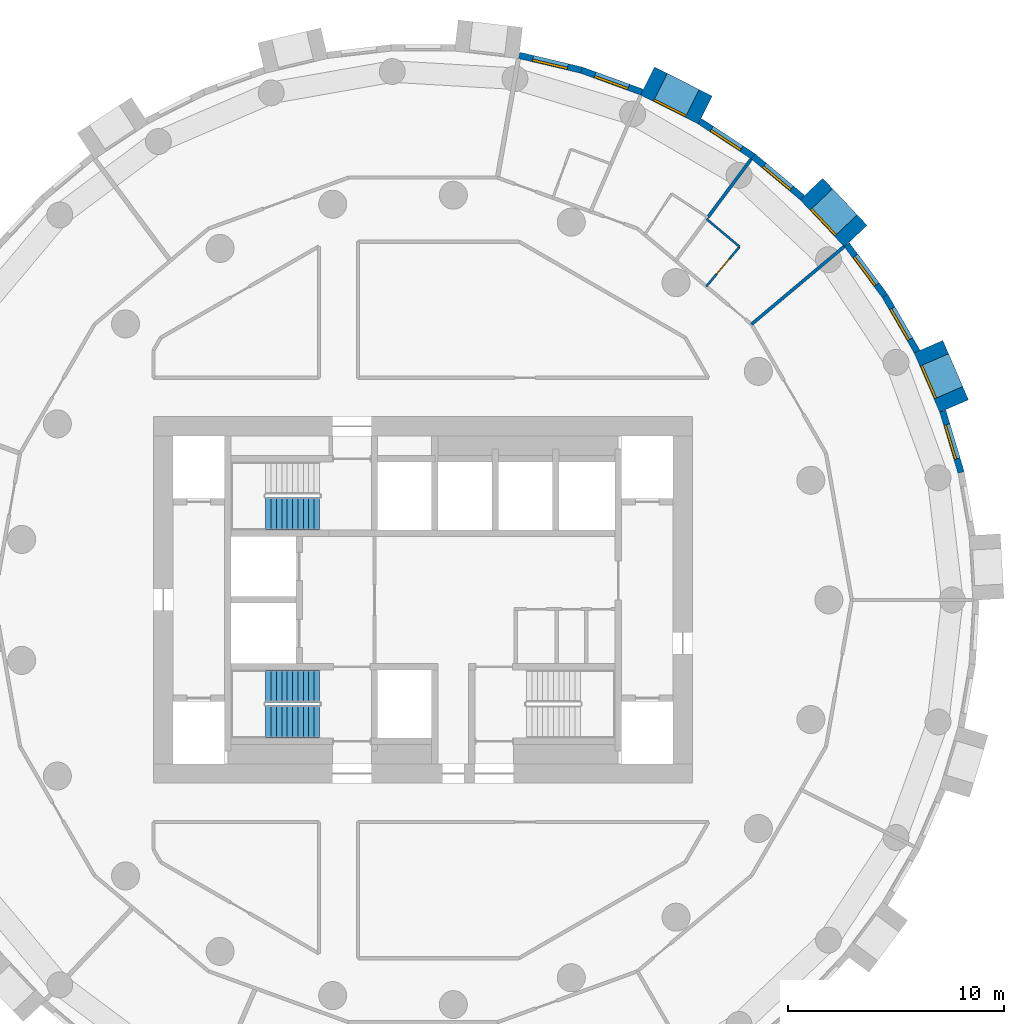
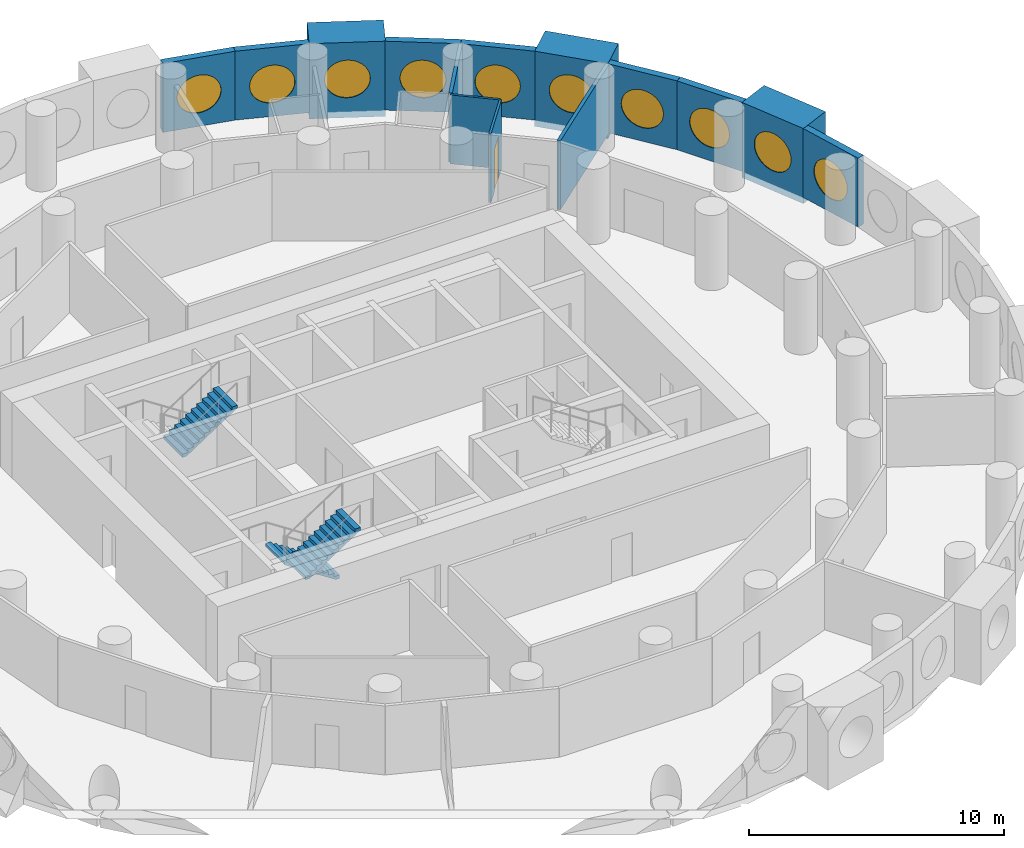
# One storey, part 7 of 9: 14 walls, 10 windows, 3 stair flights, 1 door, 11 openings, 2 elements without a shape of their own.
"""IFC4 building model written with IfcOpenShell, lengths in metres."""

from ifc_helpers import new_model, si_unit, direction, frame, frame_2d, origin, origin_2d, place, context, subcontext, project, spatial, polyline, rectangle, circle, outline, extrude, material, layer, layer_set, type_object, element, fill, aggregate, save


model = new_model("IFC4")

# Units and contexts
model_context = context("Model", 3, precision=1e-05, world=origin(), true_north=direction((0.0, 1.0)))
body_context = subcontext(model_context, "Body", "Model", "MODEL_VIEW")
ifc_project = project(units=[si_unit("LENGTHUNIT", "METRE"), si_unit("AREAUNIT", "SQUARE_METRE"), si_unit("VOLUMEUNIT", "CUBIC_METRE"), si_unit("PLANEANGLEUNIT", "RADIAN"), si_unit("MASSUNIT", "GRAM", prefix="KILO")], contexts=[model_context])

# Site, building, storey
site_placement = place(None, origin())
site = spatial("IfcSite", under=ifc_project, at=site_placement, CompositionType="ELEMENT")
building_placement = place(site_placement, origin())
building = spatial("IfcBuilding", under=site, at=building_placement, Name="Tracery Tower", CompositionType="ELEMENT")
storey_placement = place(building_placement, frame((0.0, 0.0, 151.199951171875)))
storey = spatial("IfcBuildingStorey", under=building, at=storey_placement, Name="L38", CompositionType="ELEMENT", Elevation=151.199951171875)

# Wall, opening, window
ifc_material_1 = material(Name="Precast concrete C50/60", Category="concrete")
ifc_layer_1 = layer(ifc_material_1, 1.449951171875)
ifc_layer_set_1 = layer_set([ifc_layer_1], Name="Deep-set bay unit 3000 x 3600, slab edge 300")
wall_type_1 = type_object("IfcWallType", Name="Deep-set bay unit 3000 x 3600, slab edge 300", PredefinedType="ELEMENTEDWALL", material=ifc_layer_set_1)
wall_1_placement = place(storey_placement, frame((24.632080078125, 8.99169921875, -0.300048828125), z_axis=(0.0, 0.0, 1.0), x_axis=(-0.396079003245, 0.918216435917, 0.0)))
wall_1 = element("IfcWall", 1, at=wall_1_placement, inside=storey, type_object=wall_type_1, Name="Deep-set bay unit 4 at L38", PredefinedType="ELEMENTEDWALL", context=body_context, shape_type="SweptSolid", body=[
    extrude(rectangle(XDim=3.0, YDim=1.449951171875, at=frame_2d((1.5, 0.0))), origin(), (0.0, 0.0, 1.0), 3.60009765625),
])
opening_1_placement = place(wall_1_placement, frame((1.5, 0.0, 1.85009765625)))
opening_1 = element("IfcOpeningElement", 2, at=opening_1_placement, cuts=wall_1, Name="Opening WN1", PredefinedType="OPENING", context=body_context, shape_type="SweptSolid", body=[
    extrude(circle(Radius=0.9000244140625, at=origin_2d()), frame((0.0, 0.73486328125, 0.0), z_axis=(0.0, -1.0, 0.0), x_axis=(1.0, 0.0, 0.0)), (0.0, 0.0, 1.0), 1.469970703125),
])
ifc_material_2 = material(Name="Aluminium frame with tinted double glazing", Category="aluminium")
window_type = type_object("IfcWindowType", Name="Round window 1800", PartitioningType="SINGLE_PANEL", PredefinedType="WINDOW", material=ifc_material_2)
window_1_placement = place(opening_1_placement, origin())
window_1 = element("IfcWindow", 3, at=window_1_placement, inside=storey, type_object=window_type, Name="Round window 4 at L38", OverallHeight=1.800048828125, OverallWidth=1.800048828125, PartitioningType="SINGLE_PANEL", PredefinedType="WINDOW", context=body_context, shape_type="SweptSolid", body=[
    extrude(circle(Radius=0.9000244140625, at=origin_2d()), frame((0.0, 0.69482421875, 0.0), z_axis=(0.0, -1.0, 0.0), x_axis=(1.0, 0.0, 0.0)), (0.0, 0.0, 1.0), 0.10009765625),
])
fill(opening_1, window_1)

wall_2_placement = place(storey_placement, frame((20.0712890625, 16.8740234375, -0.300048828125), z_axis=(0.0, 0.0, 1.0), x_axis=(-0.686217177108, 0.727396718334, 0.0)))
wall_2 = element("IfcWall", 4, at=wall_2_placement, inside=storey, type_object=wall_type_1, Name="Deep-set bay unit 7 at L38", PredefinedType="ELEMENTEDWALL", context=body_context, shape_type="SweptSolid", body=[
    extrude(rectangle(XDim=3.0, YDim=1.449951171875, at=frame_2d((1.5, 0.0))), origin(), (0.0, 0.0, 1.0), 3.60009765625),
])
opening_2_placement = place(wall_2_placement, frame((1.5, 0.0, 1.85009765625)))
opening_2 = element("IfcOpeningElement", 5, at=opening_2_placement, cuts=wall_2, Name="Opening WN1", PredefinedType="OPENING", context=body_context, shape_type="SweptSolid", body=[
    extrude(circle(Radius=0.9000244140625, at=origin_2d()), frame((0.0, 0.73486328125, 0.0), z_axis=(0.0, -1.0, 0.0), x_axis=(1.0, 0.0, 0.0)), (0.0, 0.0, 1.0), 1.469970703125),
])
window_2_placement = place(opening_2_placement, origin())
window_2 = element("IfcWindow", 6, at=window_2_placement, inside=storey, type_object=window_type, Name="Round window 7 at L38", OverallHeight=1.800048828125, OverallWidth=1.800048828125, PartitioningType="SINGLE_PANEL", PredefinedType="WINDOW", context=body_context, shape_type="SweptSolid", body=[
    extrude(circle(Radius=0.9000244140625, at=origin_2d()), frame((0.0, 0.69482421875, 0.0), z_axis=(0.0, -1.0, 0.0), x_axis=(1.0, 0.0, 0.0)), (0.0, 0.0, 1.0), 0.10009765625),
])
fill(opening_2, window_2)

wall_3_placement = place(storey_placement, frame((13.089599609375, 22.72119140625, -0.300048828125), z_axis=(0.0, 0.0, 1.0), x_axis=(-0.893628249713, 0.448807922518, 0.0)))
wall_3 = element("IfcWall", 7, at=wall_3_placement, inside=storey, type_object=wall_type_1, Name="Deep-set bay unit 10 at L38", PredefinedType="ELEMENTEDWALL", context=body_context, shape_type="SweptSolid", body=[
    extrude(rectangle(XDim=3.0, YDim=1.449951171875, at=frame_2d((1.5, 0.0))), origin(), (0.0, 0.0, 1.0), 3.60009765625),
])
opening_3_placement = place(wall_3_placement, frame((1.5, 0.0, 1.85009765625)))
opening_3 = element("IfcOpeningElement", 8, at=opening_3_placement, cuts=wall_3, Name="Opening WN1", PredefinedType="OPENING", context=body_context, shape_type="SweptSolid", body=[
    extrude(circle(Radius=0.9000244140625, at=origin_2d()), frame((0.0, 0.73486328125, 0.0), z_axis=(0.0, -1.0, 0.0), x_axis=(1.0, 0.0, 0.0)), (0.0, 0.0, 1.0), 1.469970703125),
])
window_3_placement = place(opening_3_placement, origin())
window_3 = element("IfcWindow", 9, at=window_3_placement, inside=storey, type_object=window_type, Name="Round window 10 at L38", OverallHeight=1.800048828125, OverallWidth=1.800048828125, PartitioningType="SINGLE_PANEL", PredefinedType="WINDOW", context=body_context, shape_type="SweptSolid", body=[
    extrude(circle(Radius=0.9000244140625, at=origin_2d()), frame((0.0, 0.69482421875, 0.0), z_axis=(0.0, -1.0, 0.0), x_axis=(1.0, 0.0, 0.0)), (0.0, 0.0, 1.0), 0.10009765625),
])
fill(opening_3, window_3)

ifc_material_3 = material(Name="Precast concrete C50/60", Category="concrete")
ifc_layer_2 = layer(ifc_material_3, 0.300048828125)
ifc_layer_set_2 = layer_set([ifc_layer_2], Name="Facade panel 3000 x 3300")
wall_type_2 = type_object("IfcWallType", Name="Facade panel 3000 x 3300", PredefinedType="SOLIDWALL", material=ifc_layer_set_2)
wall_4_placement = place(storey_placement, frame((24.9560546875, 5.914794921875, 0.0), z_axis=(0.0, 0.0, 1.0), x_axis=(-0.286782750849, 0.957995643944, 0.0)))
wall_4 = element("IfcWall", 10, at=wall_4_placement, inside=storey, type_object=wall_type_2, Name="Facade panel 3 at L38", PredefinedType="SOLIDWALL", context=body_context, shape_type="SweptSolid", body=[
    extrude(rectangle(XDim=2.97265625, YDim=0.300048828125, at=frame_2d((1.486328125, 0.0))), origin(), (0.0, 0.0, 1.0), 3.300048828125),
])
opening_4_placement = place(wall_4_placement, frame((1.486328125, 0.0, 1.5498046875)))
opening_4 = element("IfcOpeningElement", 11, at=opening_4_placement, cuts=wall_4, Name="Opening WN1", PredefinedType="OPENING", context=body_context, shape_type="SweptSolid", body=[
    extrude(circle(Radius=0.9000244140625, at=origin_2d()), frame((0.0, 0.159912109375, 0.0), z_axis=(0.0, -1.0, 0.0), x_axis=(1.0, 0.0, 0.0)), (0.0, 0.0, 1.0), 0.320068359375),
])
window_4_placement = place(opening_4_placement, origin())
window_4 = element("IfcWindow", 12, at=window_4_placement, inside=storey, type_object=window_type, Name="Round window 3 at L38", OverallHeight=1.800048828125, OverallWidth=1.800048828125, PartitioningType="SINGLE_PANEL", PredefinedType="WINDOW", context=body_context, shape_type="SweptSolid", body=[
    extrude(circle(Radius=0.9000244140625, at=origin_2d()), frame((0.0, 0.1201171875, 0.0), z_axis=(0.0, -1.0, 0.0), x_axis=(1.0, 0.0, 0.0)), (0.0, 0.0, 1.0), 0.10009765625),
])
fill(opening_4, window_4)

wall_5_placement = place(storey_placement, frame((22.91455078125, 11.518798828125, 0.0), z_axis=(0.0, 0.0, 1.0), x_axis=(-0.499954672104, 0.866051572276, 0.0)))
wall_5 = element("IfcWall", 13, at=wall_5_placement, inside=storey, type_object=wall_type_2, Name="Facade panel 5 at L38", PredefinedType="SOLIDWALL", context=body_context, shape_type="SweptSolid", body=[
    extrude(rectangle(XDim=2.972900390625, YDim=0.300048828125, at=frame_2d((1.486328125, 0.0))), origin(), (0.0, 0.0, 1.0), 3.300048828125),
])
opening_5_placement = place(wall_5_placement, frame((1.486328125, 0.0, 1.5498046875)))
opening_5 = element("IfcOpeningElement", 14, at=opening_5_placement, cuts=wall_5, Name="Opening WN1", PredefinedType="OPENING", context=body_context, shape_type="SweptSolid", body=[
    extrude(circle(Radius=0.9000244140625, at=origin_2d()), frame((0.0, 0.159912109375, 0.0), z_axis=(0.0, -1.0, 0.0), x_axis=(1.0, 0.0, 0.0)), (0.0, 0.0, 1.0), 0.320068359375),
])
window_5_placement = place(opening_5_placement, origin())
window_5 = element("IfcWindow", 15, at=window_5_placement, inside=storey, type_object=window_type, Name="Round window 5 at L38", OverallHeight=1.800048828125, OverallWidth=1.800048828125, PartitioningType="SINGLE_PANEL", PredefinedType="WINDOW", context=body_context, shape_type="SweptSolid", body=[
    extrude(circle(Radius=0.9000244140625, at=origin_2d()), frame((0.0, 0.1201171875, 0.0), z_axis=(0.0, -1.0, 0.0), x_axis=(1.0, 0.0, 0.0)), (0.0, 0.0, 1.0), 0.10009765625),
])
fill(opening_5, window_5)

wall_6_placement = place(storey_placement, frame((21.42822265625, 14.093505859375, 0.0), z_axis=(0.0, 0.0, 1.0), x_axis=(-0.597197580538, 0.80209416517, 0.0)))
wall_6 = element("IfcWall", 16, at=wall_6_placement, inside=storey, type_object=wall_type_2, Name="Facade panel 6 at L38", PredefinedType="SOLIDWALL", context=body_context, shape_type="SweptSolid", body=[
    extrude(rectangle(XDim=2.972900390625, YDim=0.300048828125, at=frame_2d((1.486328125, 0.0))), origin(), (0.0, 0.0, 1.0), 3.300048828125),
])
opening_6_placement = place(wall_6_placement, frame((1.486328125, 0.0, 1.5498046875)))
opening_6 = element("IfcOpeningElement", 17, at=opening_6_placement, cuts=wall_6, Name="Opening WN1", PredefinedType="OPENING", context=body_context, shape_type="SweptSolid", body=[
    extrude(circle(Radius=0.9000244140625, at=origin_2d()), frame((0.0, 0.159912109375, 0.0), z_axis=(0.0, -1.0, 0.0), x_axis=(1.0, 0.0, 0.0)), (0.0, 0.0, 1.0), 0.320068359375),
])
window_6_placement = place(opening_6_placement, origin())
window_6 = element("IfcWindow", 18, at=window_6_placement, inside=storey, type_object=window_type, Name="Round window 6 at L38", OverallHeight=1.800048828125, OverallWidth=1.800048828125, PartitioningType="SINGLE_PANEL", PredefinedType="WINDOW", context=body_context, shape_type="SweptSolid", body=[
    extrude(circle(Radius=0.9000244140625, at=origin_2d()), frame((0.0, 0.1201171875, 0.0), z_axis=(0.0, -1.0, 0.0), x_axis=(1.0, 0.0, 0.0)), (0.0, 0.0, 1.0), 0.10009765625),
])
fill(opening_6, window_6)

wall_7_placement = place(storey_placement, frame((17.593017578125, 18.661376953125, 0.0), z_axis=(0.0, 0.0, 1.0), x_axis=(-0.766008913364, 0.642829950023, 0.0)))
wall_7 = element("IfcWall", 19, at=wall_7_placement, inside=storey, type_object=wall_type_2, Name="Facade panel 8 at L38", PredefinedType="SOLIDWALL", context=body_context, shape_type="SweptSolid", body=[
    extrude(rectangle(XDim=2.972900390625, YDim=0.300048828125, at=frame_2d((1.486328125, 0.0))), origin(), (0.0, 0.0, 1.0), 3.300048828125),
])
opening_7_placement = place(wall_7_placement, frame((1.486328125, 0.0, 1.5498046875)))
opening_7 = element("IfcOpeningElement", 20, at=opening_7_placement, cuts=wall_7, Name="Opening WN1", PredefinedType="OPENING", context=body_context, shape_type="SweptSolid", body=[
    extrude(circle(Radius=0.9000244140625, at=origin_2d()), frame((0.0, 0.159912109375, 0.0), z_axis=(0.0, -1.0, 0.0), x_axis=(1.0, 0.0, 0.0)), (0.0, 0.0, 1.0), 0.320068359375),
])
window_7_placement = place(opening_7_placement, origin())
window_7 = element("IfcWindow", 21, at=window_7_placement, inside=storey, type_object=window_type, Name="Round window 8 at L38", OverallHeight=1.800048828125, OverallWidth=1.800048828125, PartitioningType="SINGLE_PANEL", PredefinedType="WINDOW", context=body_context, shape_type="SweptSolid", body=[
    extrude(circle(Radius=0.9000244140625, at=origin_2d()), frame((0.0, 0.1201171875, 0.0), z_axis=(0.0, -1.0, 0.0), x_axis=(1.0, 0.0, 0.0)), (0.0, 0.0, 1.0), 0.10009765625),
])
fill(opening_7, window_7)

wall_8_placement = place(storey_placement, frame((15.315673828125, 20.572509765625, 0.0), z_axis=(0.0, 0.0, 1.0), x_axis=(-0.835508361394, 0.54947773207, 0.0)))
wall_8 = element("IfcWall", 22, at=wall_8_placement, inside=storey, type_object=wall_type_2, Name="Facade panel 9 at L38", PredefinedType="SOLIDWALL", context=body_context, shape_type="SweptSolid", body=[
    extrude(rectangle(XDim=2.972900390625, YDim=0.300048828125, at=frame_2d((1.486328125, 0.0))), origin(), (0.0, 0.0, 1.0), 3.300048828125),
])
opening_8_placement = place(wall_8_placement, frame((1.486328125, 0.0, 1.5498046875)))
opening_8 = element("IfcOpeningElement", 23, at=opening_8_placement, cuts=wall_8, Name="Opening WN1", PredefinedType="OPENING", context=body_context, shape_type="SweptSolid", body=[
    extrude(circle(Radius=0.9000244140625, at=origin_2d()), frame((0.0, 0.159912109375, 0.0), z_axis=(0.0, -1.0, 0.0), x_axis=(1.0, 0.0, 0.0)), (0.0, 0.0, 1.0), 0.320068359375),
])
window_8_placement = place(opening_8_placement, origin())
window_8 = element("IfcWindow", 24, at=window_8_placement, inside=storey, type_object=window_type, Name="Round window 9 at L38", OverallHeight=1.800048828125, OverallWidth=1.800048828125, PartitioningType="SINGLE_PANEL", PredefinedType="WINDOW", context=body_context, shape_type="SweptSolid", body=[
    extrude(circle(Radius=0.9000244140625, at=origin_2d()), frame((0.0, 0.1201171875, 0.0), z_axis=(0.0, -1.0, 0.0), x_axis=(1.0, 0.0, 0.0)), (0.0, 0.0, 1.0), 0.10009765625),
])
fill(opening_8, window_8)

wall_9_placement = place(storey_placement, frame((10.1494140625, 23.55322265625, 0.0), z_axis=(0.0, 0.0, 1.0), x_axis=(-0.939690282133, 0.342026568652, 0.0)))
wall_9 = element("IfcWall", 25, at=wall_9_placement, inside=storey, type_object=wall_type_2, Name="Facade panel 11 at L38", PredefinedType="SOLIDWALL", context=body_context, shape_type="SweptSolid", body=[
    extrude(rectangle(XDim=2.972900390625, YDim=0.300048828125, at=frame_2d((1.486328125, 0.0))), origin(), (0.0, 0.0, 1.0), 3.300048828125),
])
opening_9_placement = place(wall_9_placement, frame((1.486328125, 0.0, 1.5498046875)))
opening_9 = element("IfcOpeningElement", 26, at=opening_9_placement, cuts=wall_9, Name="Opening WN1", PredefinedType="OPENING", context=body_context, shape_type="SweptSolid", body=[
    extrude(circle(Radius=0.9000244140625, at=origin_2d()), frame((0.0, 0.159912109375, 0.0), z_axis=(0.0, -1.0, 0.0), x_axis=(1.0, 0.0, 0.0)), (0.0, 0.0, 1.0), 0.320068359375),
])
window_9_placement = place(opening_9_placement, origin())
window_9 = element("IfcWindow", 27, at=window_9_placement, inside=storey, type_object=window_type, Name="Round window 11 at L38", OverallHeight=1.800048828125, OverallWidth=1.800048828125, PartitioningType="SINGLE_PANEL", PredefinedType="WINDOW", context=body_context, shape_type="SweptSolid", body=[
    extrude(circle(Radius=0.9000244140625, at=origin_2d()), frame((0.0, 0.1201171875, 0.0), z_axis=(0.0, -1.0, 0.0), x_axis=(1.0, 0.0, 0.0)), (0.0, 0.0, 1.0), 0.10009765625),
])
fill(opening_9, window_9)

wall_10_placement = place(storey_placement, frame((7.355712890625, 24.570068359375, 0.0), z_axis=(0.0, 0.0, 1.0), x_axis=(-0.973045378923, 0.230613725862, 0.0)))
wall_10 = element("IfcWall", 28, at=wall_10_placement, inside=storey, type_object=wall_type_2, Name="Facade panel 12 at L38", PredefinedType="SOLIDWALL", context=body_context, shape_type="SweptSolid", body=[
    extrude(rectangle(XDim=2.97265625, YDim=0.300048828125, at=frame_2d((1.486328125, 0.0))), origin(), (0.0, 0.0, 1.0), 3.300048828125),
])
opening_10_placement = place(wall_10_placement, frame((1.486328125, 0.0, 1.5498046875)))
opening_10 = element("IfcOpeningElement", 29, at=opening_10_placement, cuts=wall_10, Name="Opening WN1", PredefinedType="OPENING", context=body_context, shape_type="SweptSolid", body=[
    extrude(circle(Radius=0.9000244140625, at=origin_2d()), frame((0.0, 0.159912109375, 0.0), z_axis=(0.0, -1.0, 0.0), x_axis=(1.0, 0.0, 0.0)), (0.0, 0.0, 1.0), 0.320068359375),
])
window_10_placement = place(opening_10_placement, origin())
window_10 = element("IfcWindow", 30, at=window_10_placement, inside=storey, type_object=window_type, Name="Round window 12 at L38", OverallHeight=1.800048828125, OverallWidth=1.800048828125, PartitioningType="SINGLE_PANEL", PredefinedType="WINDOW", context=body_context, shape_type="SweptSolid", body=[
    extrude(circle(Radius=0.9000244140625, at=origin_2d()), frame((0.0, 0.1201171875, 0.0), z_axis=(0.0, -1.0, 0.0), x_axis=(1.0, 0.0, 0.0)), (0.0, 0.0, 1.0), 0.10009765625),
])
fill(opening_10, window_10)

# Wall, opening, door
ifc_material_4 = material(Name="Plasterboard on steel studs", Category="steel")
ifc_layer_3 = layer(ifc_material_4, 0.10009765625)
ifc_layer_set_3 = layer_set([ifc_layer_3], Name="Partition 100 wet wall")
wall_type_3 = type_object("IfcWallType", Name="Partition 100 wet wall", PredefinedType="PARTITIONING", material=ifc_layer_set_3)
wall_11_placement = place(storey_placement, frame((13.138916015625, 14.5419921875, 0.0), z_axis=(0.0, 0.0, 1.0), x_axis=(0.642731657745, 0.766091388891, 0.0)))
wall_11 = element("IfcWall", 31, at=wall_11_placement, inside=storey, type_object=wall_type_3, Name="Wet wall RB3-041", PredefinedType="PARTITIONING", context=body_context, shape_type="SweptSolid", body=[
    extrude(rectangle(XDim=2.400634765625, YDim=0.10009765625, at=frame_2d((1.2001953125, 0.0))), origin(), (0.0, 0.0, 1.0), 3.300048828125),
])
opening_11_placement = place(wall_11_placement, frame((0.75, 0.0, 0.0)))
opening_11 = element("IfcOpeningElement", 32, at=opening_11_placement, cuts=wall_11, Name="Opening RB3-06", PredefinedType="OPENING", context=body_context, shape_type="SweptSolid", body=[
    extrude(rectangle(XDim=0.89990234375, YDim=2.0400390625, at=frame_2d((0.449951171875, 1.02001953125))), frame((0.0, 0.050048828125, 0.0), z_axis=(0.0, -1.0, 0.0), x_axis=(1.0, 0.0, 0.0)), (0.0, 0.0, 1.0), 0.10009765625),
])
ifc_material_5 = material(Name="Timber door leaf", Category="wood")
door_type = type_object("IfcDoorType", Name="Door en-suite 900", OperationType="NOTDEFINED", PredefinedType="DOOR", material=ifc_material_5)
door_placement = place(opening_11_placement, origin())
door = element("IfcDoor", 33, at=door_placement, inside=storey, type_object=door_type, Name="En-suite door RB3-06", OperationType="SINGLE_SWING_LEFT", OverallHeight=2.0400390625, OverallWidth=0.89990234375, PredefinedType="DOOR", context=body_context, shape_type="SweptSolid", body=[
    extrude(rectangle(XDim=0.89990234375, YDim=2.0400390625, at=frame_2d((0.449951171875, 1.02001953125))), frame((0.0, 0.02490234375, 0.0), z_axis=(0.0, -1.0, 0.0), x_axis=(1.0, 0.0, 0.0)), (0.0, 0.0, 1.0), 0.050048828125),
])
fill(opening_11, door)

# Walls
wall_12_placement = place(storey_placement, frame((13.15087890625, 17.6650390625, 0.0), z_axis=(0.0, 0.0, 1.0), x_axis=(0.766224532916, -0.642572925945, 0.0)))
element("IfcWall", 34, at=wall_12_placement, inside=storey, type_object=wall_type_3, Name="Wet wall RB3-042", PredefinedType="PARTITIONING", context=body_context, shape_type="SweptSolid", body=[
    extrude(rectangle(XDim=1.998046875, YDim=0.10009765625, at=frame_2d((0.9990234375, 0.0))), origin(), (0.0, 0.0, 1.0), 3.300048828125),
])
ifc_material_6 = material(Name="Plasterboard on steel studs", Category="steel")
ifc_layer_4 = layer(ifc_material_6, 0.14990234375)
ifc_layer_set_4 = layer_set([ifc_layer_4], Name="Partition 150 acoustic unit wall")
wall_type_4 = type_object("IfcWallType", Name="Partition 150 acoustic unit wall", PredefinedType="PARTITIONING", material=ifc_layer_set_4)
wall_13_placement = place(storey_placement, frame((15.235107421875, 12.783935546875, 0.0), z_axis=(0.0, 0.0, 1.0), x_axis=(0.76609059793, 0.642732600514, 0.0)))
element("IfcWall", 35, at=wall_13_placement, inside=storey, type_object=wall_type_4, Name="Unit wall RB3-039", PredefinedType="PARTITIONING", context=body_context, shape_type="SweptSolid", body=[
    extrude(rectangle(XDim=5.60888671875, YDim=0.14990234375, at=frame_2d((2.804443359375, 0.0))), origin(), (0.0, 0.0, 1.0), 3.300048828125),
])
wall_14_placement = place(storey_placement, frame((13.201904296875, 17.73291015625, 0.0), z_axis=(0.0, 0.0, 1.0), x_axis=(0.597149819296, 0.802129723495, 0.0)))
element("IfcWall", 36, at=wall_14_placement, inside=storey, type_object=wall_type_4, Name="Unit wall RB3-043", PredefinedType="PARTITIONING", context=body_context, shape_type="SweptSolid", body=[
    extrude(rectangle(XDim=3.3896484375, YDim=0.14990234375, at=frame_2d((1.69482421875, 0.0))), origin(), (0.0, 0.0, 1.0), 3.300048828125),
])

# Stair, stair flights
ifc_material_7 = material(Name="Concrete C32/40", Category="concrete")
stair_type = type_object("IfcStairType", Name="Core stair 22 risers", PredefinedType="HALF_TURN_STAIR", material=ifc_material_7)
stair_1_placement = place(storey_placement, origin())
stair_1 = element("IfcStair", 37, at=stair_1_placement, inside=storey, type_object=stair_type, Name="L38 stair ST1", PredefinedType="HALF_TURN_STAIR")
ifc_material_8 = material(Name="Concrete C32/40", Category="concrete")
stair_flight_type = type_object("IfcStairFlightType", Name="Core stair flight 11 risers", PredefinedType="STRAIGHT", material=ifc_material_8)
stair_flight_1_placement = place(storey_placement, frame((-4.800048828125, -4.0, 0.0), z_axis=(0.0, 0.0, 1.0), x_axis=(-1.0, 0.0, 0.0)))
stair_flight_1 = element("IfcStairFlight", 38, at=stair_flight_1_placement, type_object=stair_flight_type, Name="ST1 flight 1", NumberOfRisers=11, NumberOfTreads=10, PredefinedType="STRAIGHT", RiserHeight=0.163636364, TreadLength=0.25, context=body_context, shape_type="SweptSolid", body=[
    extrude(outline(polyline([(0.0, 0.0), (0.0, 0.002685546875), (0.0, 0.00537109375), (0.0, 0.008056640625), (0.0, 0.0107421875), (0.0, 0.013427734375), (0.0, 0.01611328125), (0.0, 0.018798828125), (0.0, 0.021484375), (0.0, 0.024169921875), (0.0, 0.02685546875), (0.0, 0.029541015625), (0.0, 0.0322265625), (0.0, 0.034912109375), (0.0, 0.03759765625), (0.0, 0.040283203125), (0.0, 0.04296875), (0.0, 0.045654296875), (0.0, 0.04833984375), (0.0, 0.051025390625), (0.0, 0.0537109375), (0.0, 0.056396484375), (0.0, 0.05908203125), (0.0, 0.061767578125), (0.0, 0.064453125), (0.0, 0.067138671875), (0.0, 0.06982421875), (0.0, 0.072509765625), (0.0, 0.0751953125), (0.0, 0.077880859375), (0.0, 0.08056640625), (0.0, 0.083251953125), (0.0, 0.0859375), (0.0, 0.088623046875), (0.0, 0.09130859375), (0.0, 0.093994140625), (0.0, 0.0966796875), (0.0, 0.099365234375), (0.0, 0.10205078125), (0.0, 0.104736328125), (0.0, 0.107421875), (0.0, 0.10986328125), (0.0, 0.112548828125), (0.0, 0.115234375), (0.0, 0.117919921875), (0.0, 0.12060546875), (0.0, 0.123291015625), (0.0, 0.1259765625), (0.0, 0.128662109375), (0.0, 0.13134765625), (0.0, 0.134033203125), (0.0, 0.13671875), (0.0, 0.139404296875), (0.0, 0.14208984375), (0.0, 0.144775390625), (0.0, 0.1474609375), (0.0, 0.150146484375), (0.0, 0.15283203125), (0.0, 0.155517578125), (0.0, 0.158203125), (0.0, 0.160888671875), (0.0, 0.16357421875), (0.25, 0.16357421875), (0.25, 0.327392578125), (0.5, 0.327392578125), (0.5, 0.490966796875), (0.75, 0.490966796875), (0.75, 0.654541015625), (1.0, 0.654541015625), (1.0, 0.818115234375), (1.25, 0.818115234375), (1.25, 0.98193359375), (1.5, 0.98193359375), (1.5, 1.1455078125), (1.75, 1.1455078125), (1.75, 1.30908203125), (2.0, 1.30908203125), (2.0, 1.47265625), (2.25, 1.47265625), (2.25, 1.636474609375), (2.5, 1.636474609375), (2.5, 1.634521484375), (2.5, 1.63232421875), (2.5, 1.63037109375), (2.5, 1.62841796875), (2.5, 1.62646484375), (2.5, 1.62451171875), (2.5, 1.62255859375), (2.5, 1.62060546875), (2.5, 1.61865234375), (2.5, 1.61669921875), (2.5, 1.61474609375), (2.5, 1.61279296875), (2.5, 1.61083984375), (2.5, 1.60888671875), (2.5, 1.60693359375), (2.5, 1.60498046875), (2.5, 1.60302734375), (2.5, 1.60107421875), (2.5, 1.59912109375), (2.5, 1.59716796875), (2.5, 1.59521484375), (2.5, 1.59326171875), (2.5, 1.59130859375), (2.5, 1.58935546875), (2.5, 1.58740234375), (2.5, 1.58544921875), (2.5, 1.58349609375), (2.5, 1.58154296875), (2.5, 1.57958984375), (2.5, 1.57763671875), (2.5, 1.57568359375), (2.5, 1.573486328125), (2.5, 1.571533203125), (2.5, 1.569580078125), (2.5, 1.567626953125), (2.5, 1.565673828125), (2.5, 1.563720703125), (2.5, 1.561767578125), (2.5, 1.559814453125), (2.5, 1.557861328125), (2.5, 1.555908203125), (2.5, 1.553955078125), (2.5, 1.552001953125), (2.5, 1.550048828125), (2.5, 1.548095703125), (2.5, 1.546142578125), (2.5, 1.544189453125), (2.5, 1.542236328125), (2.5, 1.540283203125), (2.5, 1.538330078125), (2.5, 1.536376953125), (2.5, 1.534423828125), (2.5, 1.532470703125), (2.5, 1.530517578125), (2.5, 1.528564453125), (2.5, 1.526611328125), (2.5, 1.524658203125), (2.5, 1.522705078125), (2.5, 1.520751953125), (2.5, 1.518798828125), (2.5, 1.516845703125), (0.182861328125, 0.0), (0.0, 0.0)])), frame((0.0, 0.75, 0.0), z_axis=(0.0, -1.0, 0.0), x_axis=(1.0, 0.0, 0.0)), (0.0, 0.0, 1.0), 1.5),
])
stair_flight_2_placement = place(storey_placement, frame((-7.300048828125, -5.64990234375, 1.800048828125), z_axis=(0.0, 0.0, 1.0), x_axis=(1.0, 0.0, 0.0)))
stair_flight_2 = element("IfcStairFlight", 39, at=stair_flight_2_placement, type_object=stair_flight_type, Name="ST1 flight 2", NumberOfRisers=11, NumberOfTreads=10, PredefinedType="STRAIGHT", RiserHeight=0.163636364, TreadLength=0.25, context=body_context, shape_type="SweptSolid", body=[
    extrude(outline(polyline([(0.0, 0.0), (0.0, 0.002685546875), (0.0, 0.00537109375), (0.0, 0.008056640625), (0.0, 0.0107421875), (0.0, 0.013427734375), (0.0, 0.01611328125), (0.0, 0.018798828125), (0.0, 0.021484375), (0.0, 0.024169921875), (0.0, 0.02685546875), (0.0, 0.029541015625), (0.0, 0.0322265625), (0.0, 0.034912109375), (0.0, 0.03759765625), (0.0, 0.040283203125), (0.0, 0.04296875), (0.0, 0.045654296875), (0.0, 0.04833984375), (0.0, 0.051025390625), (0.0, 0.0537109375), (0.0, 0.056396484375), (0.0, 0.05908203125), (0.0, 0.061767578125), (0.0, 0.064453125), (0.0, 0.067138671875), (0.0, 0.06982421875), (0.0, 0.072509765625), (0.0, 0.0751953125), (0.0, 0.077880859375), (0.0, 0.08056640625), (0.0, 0.083251953125), (0.0, 0.0859375), (0.0, 0.088623046875), (0.0, 0.09130859375), (0.0, 0.093994140625), (0.0, 0.0966796875), (0.0, 0.099365234375), (0.0, 0.10205078125), (0.0, 0.104736328125), (0.0, 0.107421875), (0.0, 0.10986328125), (0.0, 0.112548828125), (0.0, 0.115234375), (0.0, 0.117919921875), (0.0, 0.12060546875), (0.0, 0.123291015625), (0.0, 0.1259765625), (0.0, 0.128662109375), (0.0, 0.13134765625), (0.0, 0.134033203125), (0.0, 0.13671875), (0.0, 0.139404296875), (0.0, 0.14208984375), (0.0, 0.144775390625), (0.0, 0.1474609375), (0.0, 0.150146484375), (0.0, 0.15283203125), (0.0, 0.155517578125), (0.0, 0.158203125), (0.0, 0.160888671875), (0.0, 0.16357421875), (0.25, 0.16357421875), (0.25, 0.327392578125), (0.5, 0.327392578125), (0.5, 0.490966796875), (0.75, 0.490966796875), (0.75, 0.654541015625), (1.0, 0.654541015625), (1.0, 0.818115234375), (1.25, 0.818115234375), (1.25, 0.98193359375), (1.5, 0.98193359375), (1.5, 1.1455078125), (1.75, 1.1455078125), (1.75, 1.30908203125), (2.0, 1.30908203125), (2.0, 1.47265625), (2.25, 1.47265625), (2.25, 1.636474609375), (2.5, 1.636474609375), (2.5, 1.634521484375), (2.5, 1.63232421875), (2.5, 1.63037109375), (2.5, 1.62841796875), (2.5, 1.62646484375), (2.5, 1.62451171875), (2.5, 1.62255859375), (2.5, 1.62060546875), (2.5, 1.61865234375), (2.5, 1.61669921875), (2.5, 1.61474609375), (2.5, 1.61279296875), (2.5, 1.61083984375), (2.5, 1.60888671875), (2.5, 1.60693359375), (2.5, 1.60498046875), (2.5, 1.60302734375), (2.5, 1.60107421875), (2.5, 1.59912109375), (2.5, 1.59716796875), (2.5, 1.59521484375), (2.5, 1.59326171875), (2.5, 1.59130859375), (2.5, 1.58935546875), (2.5, 1.58740234375), (2.5, 1.58544921875), (2.5, 1.58349609375), (2.5, 1.58154296875), (2.5, 1.57958984375), (2.5, 1.57763671875), (2.5, 1.57568359375), (2.5, 1.573486328125), (2.5, 1.571533203125), (2.5, 1.569580078125), (2.5, 1.567626953125), (2.5, 1.565673828125), (2.5, 1.563720703125), (2.5, 1.561767578125), (2.5, 1.559814453125), (2.5, 1.557861328125), (2.5, 1.555908203125), (2.5, 1.553955078125), (2.5, 1.552001953125), (2.5, 1.550048828125), (2.5, 1.548095703125), (2.5, 1.546142578125), (2.5, 1.544189453125), (2.5, 1.542236328125), (2.5, 1.540283203125), (2.5, 1.538330078125), (2.5, 1.536376953125), (2.5, 1.534423828125), (2.5, 1.532470703125), (2.5, 1.530517578125), (2.5, 1.528564453125), (2.5, 1.526611328125), (2.5, 1.524658203125), (2.5, 1.522705078125), (2.5, 1.520751953125), (2.5, 1.518798828125), (2.5, 1.516845703125), (0.182861328125, 0.0), (0.0, 0.0)])), frame((0.0, 0.75, 0.0), z_axis=(0.0, -1.0, 0.0), x_axis=(1.0, 0.0, 0.0)), (0.0, 0.0, 1.0), 1.5),
])
aggregate(stair_1, [stair_flight_1, stair_flight_2])

# Stair, stair flight
stair_2_placement = place(storey_placement, origin())
stair_2 = element("IfcStair", 40, at=stair_2_placement, inside=storey, type_object=stair_type, Name="L38 stair ST3", PredefinedType="HALF_TURN_STAIR")
stair_flight_3_placement = place(storey_placement, frame((-7.300048828125, 4.0, 1.800048828125), z_axis=(0.0, 0.0, 1.0), x_axis=(1.0, 0.0, 0.0)))
stair_flight_3 = element("IfcStairFlight", 41, at=stair_flight_3_placement, type_object=stair_flight_type, Name="ST3 flight 2", NumberOfRisers=11, NumberOfTreads=10, PredefinedType="STRAIGHT", RiserHeight=0.163636364, TreadLength=0.25, context=body_context, shape_type="SweptSolid", body=[
    extrude(outline(polyline([(0.0, 0.0), (0.0, 0.002685546875), (0.0, 0.00537109375), (0.0, 0.008056640625), (0.0, 0.0107421875), (0.0, 0.013427734375), (0.0, 0.01611328125), (0.0, 0.018798828125), (0.0, 0.021484375), (0.0, 0.024169921875), (0.0, 0.02685546875), (0.0, 0.029541015625), (0.0, 0.0322265625), (0.0, 0.034912109375), (0.0, 0.03759765625), (0.0, 0.040283203125), (0.0, 0.04296875), (0.0, 0.045654296875), (0.0, 0.04833984375), (0.0, 0.051025390625), (0.0, 0.0537109375), (0.0, 0.056396484375), (0.0, 0.05908203125), (0.0, 0.061767578125), (0.0, 0.064453125), (0.0, 0.067138671875), (0.0, 0.06982421875), (0.0, 0.072509765625), (0.0, 0.0751953125), (0.0, 0.077880859375), (0.0, 0.08056640625), (0.0, 0.083251953125), (0.0, 0.0859375), (0.0, 0.088623046875), (0.0, 0.09130859375), (0.0, 0.093994140625), (0.0, 0.0966796875), (0.0, 0.099365234375), (0.0, 0.10205078125), (0.0, 0.104736328125), (0.0, 0.107421875), (0.0, 0.10986328125), (0.0, 0.112548828125), (0.0, 0.115234375), (0.0, 0.117919921875), (0.0, 0.12060546875), (0.0, 0.123291015625), (0.0, 0.1259765625), (0.0, 0.128662109375), (0.0, 0.13134765625), (0.0, 0.134033203125), (0.0, 0.13671875), (0.0, 0.139404296875), (0.0, 0.14208984375), (0.0, 0.144775390625), (0.0, 0.1474609375), (0.0, 0.150146484375), (0.0, 0.15283203125), (0.0, 0.155517578125), (0.0, 0.158203125), (0.0, 0.160888671875), (0.0, 0.16357421875), (0.25, 0.16357421875), (0.25, 0.327392578125), (0.5, 0.327392578125), (0.5, 0.490966796875), (0.75, 0.490966796875), (0.75, 0.654541015625), (1.0, 0.654541015625), (1.0, 0.818115234375), (1.25, 0.818115234375), (1.25, 0.98193359375), (1.5, 0.98193359375), (1.5, 1.1455078125), (1.75, 1.1455078125), (1.75, 1.30908203125), (2.0, 1.30908203125), (2.0, 1.47265625), (2.25, 1.47265625), (2.25, 1.636474609375), (2.5, 1.636474609375), (2.5, 1.634521484375), (2.5, 1.63232421875), (2.5, 1.63037109375), (2.5, 1.62841796875), (2.5, 1.62646484375), (2.5, 1.62451171875), (2.5, 1.62255859375), (2.5, 1.62060546875), (2.5, 1.61865234375), (2.5, 1.61669921875), (2.5, 1.61474609375), (2.5, 1.61279296875), (2.5, 1.61083984375), (2.5, 1.60888671875), (2.5, 1.60693359375), (2.5, 1.60498046875), (2.5, 1.60302734375), (2.5, 1.60107421875), (2.5, 1.59912109375), (2.5, 1.59716796875), (2.5, 1.59521484375), (2.5, 1.59326171875), (2.5, 1.59130859375), (2.5, 1.58935546875), (2.5, 1.58740234375), (2.5, 1.58544921875), (2.5, 1.58349609375), (2.5, 1.58154296875), (2.5, 1.57958984375), (2.5, 1.57763671875), (2.5, 1.57568359375), (2.5, 1.573486328125), (2.5, 1.571533203125), (2.5, 1.569580078125), (2.5, 1.567626953125), (2.5, 1.565673828125), (2.5, 1.563720703125), (2.5, 1.561767578125), (2.5, 1.559814453125), (2.5, 1.557861328125), (2.5, 1.555908203125), (2.5, 1.553955078125), (2.5, 1.552001953125), (2.5, 1.550048828125), (2.5, 1.548095703125), (2.5, 1.546142578125), (2.5, 1.544189453125), (2.5, 1.542236328125), (2.5, 1.540283203125), (2.5, 1.538330078125), (2.5, 1.536376953125), (2.5, 1.534423828125), (2.5, 1.532470703125), (2.5, 1.530517578125), (2.5, 1.528564453125), (2.5, 1.526611328125), (2.5, 1.524658203125), (2.5, 1.522705078125), (2.5, 1.520751953125), (2.5, 1.518798828125), (2.5, 1.516845703125), (0.182861328125, 0.0), (0.0, 0.0)])), frame((0.0, 0.75, 0.0), z_axis=(0.0, -1.0, 0.0), x_axis=(1.0, 0.0, 0.0)), (0.0, 0.0, 1.0), 1.5),
])
aggregate(stair_2, [stair_flight_3])

save(model, "model.ifc")
